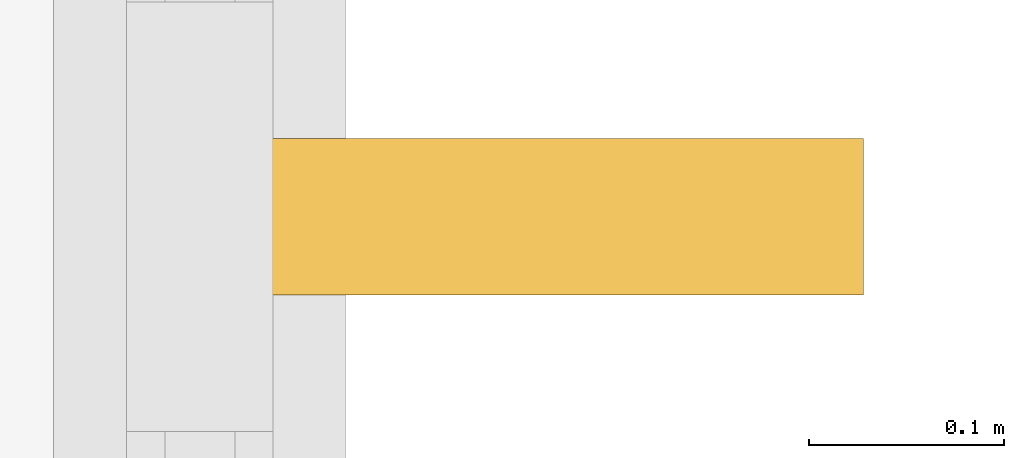
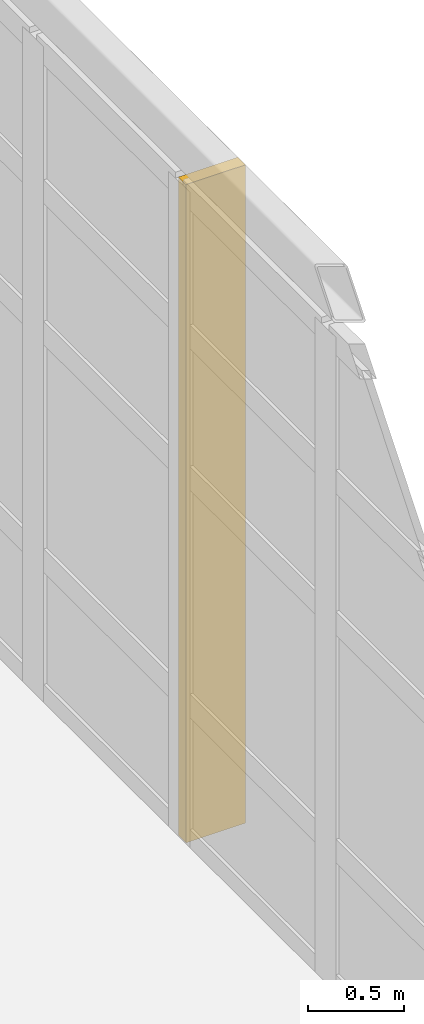
# One storey, part 139 of 139: 1 shading device.
"""IFC4 building model written with IfcOpenShell, lengths in metres."""

from ifc_helpers import new_model, si_unit, direction, frame, origin, origin_2d, place, context, subcontext, project, spatial, rectangle, extrude, material, type_object, element, save


model = new_model("IFC4")

# Units and contexts
model_context = context("Model", 3, precision=1e-05, world=origin(), true_north=direction((0.0, 1.0)))
body_context = subcontext(model_context, "Body", "Model", "MODEL_VIEW")
ifc_project = project(units=[si_unit("LENGTHUNIT", "METRE"), si_unit("AREAUNIT", "SQUARE_METRE"), si_unit("VOLUMEUNIT", "CUBIC_METRE"), si_unit("PLANEANGLEUNIT", "RADIAN"), si_unit("MASSUNIT", "GRAM", prefix="KILO"), si_unit("THERMODYNAMICTEMPERATUREUNIT", "KELVIN"), si_unit("POWERUNIT", "WATT")], contexts=[model_context])

# Site, building, storey
site_placement = place(None, origin())
site = spatial("IfcSite", under=ifc_project, at=site_placement, CompositionType="ELEMENT")
building_placement = place(site_placement, origin())
building = spatial("IfcBuilding", under=site, at=building_placement, Name="Korenveer Ferry Terminal", CompositionType="ELEMENT")
storey_placement = place(building_placement, frame((0.0, 0.0, 5.39990234375)))
storey = spatial("IfcBuildingStorey", under=building, at=storey_placement, Name="L01", CompositionType="ELEMENT", Elevation=5.39990234375)

# Shading device
ifc_material = material(Name="Anodised bronze aluminium solar fin", Category="aluminium")
shading_device_type = type_object("IfcShadingDeviceType", Name="ENV-SHD-FIN", PredefinedType="JALOUSIE", material=ifc_material)
shading_device_placement = place(storey_placement, frame((176.159912109375, 75.0, -0.019775390625), z_axis=(0.0, 0.0, 1.0), x_axis=(1.0, 0.0, 0.0)))
element("IfcShadingDevice", 1, at=shading_device_placement, inside=storey, type_object=shading_device_type, Name="Gothic solar fin 37", PredefinedType="JALOUSIE", context=body_context, shape_type="SweptSolid", body=[
    extrude(rectangle(XDim=0.360107421875, YDim=0.080078125, at=origin_2d()), origin(), (0.0, 0.0, 1.0), 4.18994140625),
])

save(model, "model.ifc")
